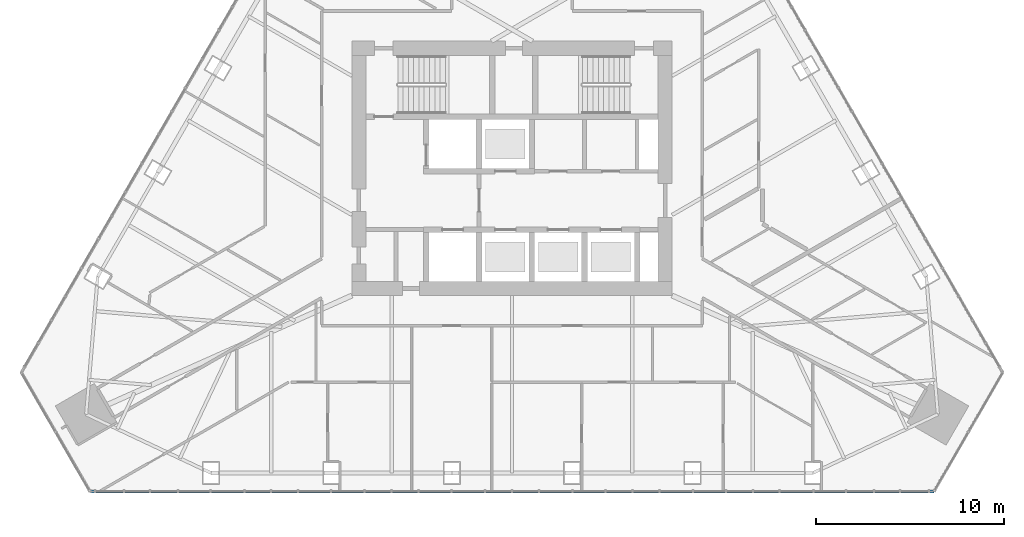
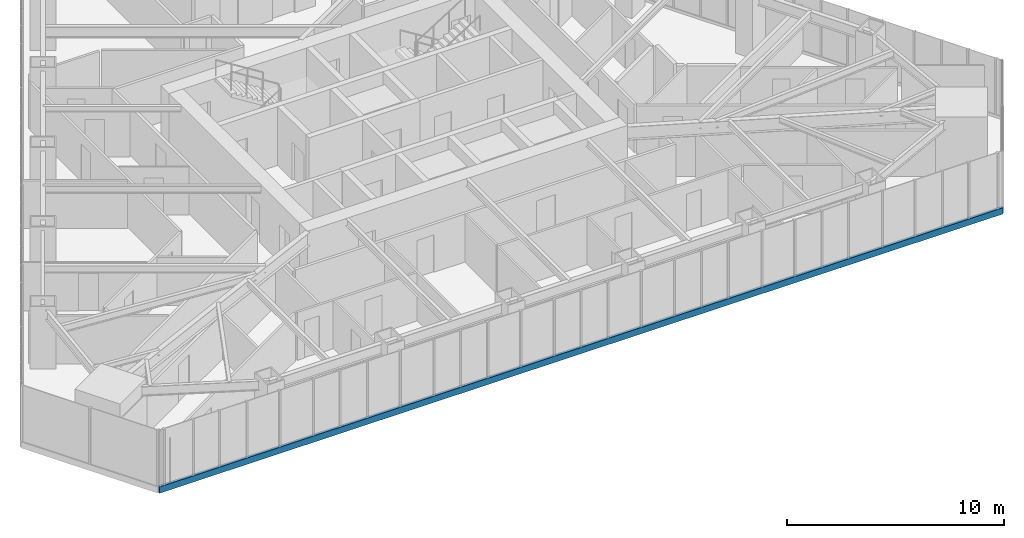
# One storey, part 3 of 21: 1 member, 1 element without a shape of its own.
"""IFC4 building model written with IfcOpenShell, lengths in metres."""

from ifc_helpers import new_model, si_unit, direction, frame, origin, origin_2d, place, context, subcontext, project, spatial, rectangle, extrude, material, layer, layer_set, material_profile, profile_set, type_object, element, aggregate, save


model = new_model("IFC4")

# Units and contexts
model_context = context("Model", 3, precision=1e-05, world=origin(), true_north=direction((0.0, 1.0)))
body_context = subcontext(model_context, "Body", "Model", "MODEL_VIEW")
ifc_project = project(units=[si_unit("LENGTHUNIT", "METRE"), si_unit("AREAUNIT", "SQUARE_METRE"), si_unit("VOLUMEUNIT", "CUBIC_METRE"), si_unit("PLANEANGLEUNIT", "RADIAN"), si_unit("MASSUNIT", "GRAM", prefix="KILO")], contexts=[model_context])

# Site, building, storey
site_placement = place(None, origin())
site = spatial("IfcSite", under=ifc_project, at=site_placement, CompositionType="ELEMENT")
building_placement = place(site_placement, origin())
building = spatial("IfcBuilding", under=site, at=building_placement, Name="Firuza Gate Tower and Library", CompositionType="ELEMENT")
storey_placement = place(building_placement, frame((0.0, 0.0, 284.60009765625)))
storey = spatial("IfcBuildingStorey", under=building, at=storey_placement, Name="L68", CompositionType="ELEMENT", Elevation=284.60009765625)

# Curtain wall, member
ifc_material_1 = material(Name="Aluminium 6063-T6", Category="aluminium")
ifc_layer = layer(ifc_material_1, 0.14990234375)
ifc_layer_set = layer_set([ifc_layer], Name="Unitised curtain wall, residences")
curtain_wall_type = type_object("IfcCurtainWallType", Name="Unitised curtain wall, residences", PredefinedType="NOTDEFINED", material=ifc_layer_set)
curtain_wall_placement = place(storey_placement, origin())
curtain_wall = element("IfcCurtainWall", 1, at=curtain_wall_placement, inside=storey, type_object=curtain_wall_type, Name="CW3 L68 S face", PredefinedType="NOTDEFINED")
ifc_material_2 = material(Name="Aluminium 6063-T6", Category="aluminium")
ifc_material_profile = material_profile(ifc_material_2, rectangle(XDim=0.14990234375, YDim=0.35009765625, at=origin_2d()))
ifc_profile_set = profile_set([ifc_material_profile], Name="Aluminium 6063-T6")
member_type = type_object("IfcMemberType", Name="Curtain wall transom 350x150", PredefinedType="USERDEFINED", material=ifc_profile_set)
member_placement = place(storey_placement, frame((52.593994140625, 57.85693359375, -0.025146484375), z_axis=(1.0, 0.0, 0.0), x_axis=(0.0, 1.0, 0.0)))
member = element("IfcMember", 2, at=member_placement, type_object=member_type, Name="Transom", ObjectType="TRANSOM", PredefinedType="USERDEFINED", context=body_context, shape_type="SweptSolid", body=[
    extrude(rectangle(XDim=0.14990234375, YDim=0.35009765625, at=origin_2d()), origin(), (0.0, 0.0, 1.0), 44.81201171875),
])
aggregate(curtain_wall, [member])

save(model, "model.ifc")
